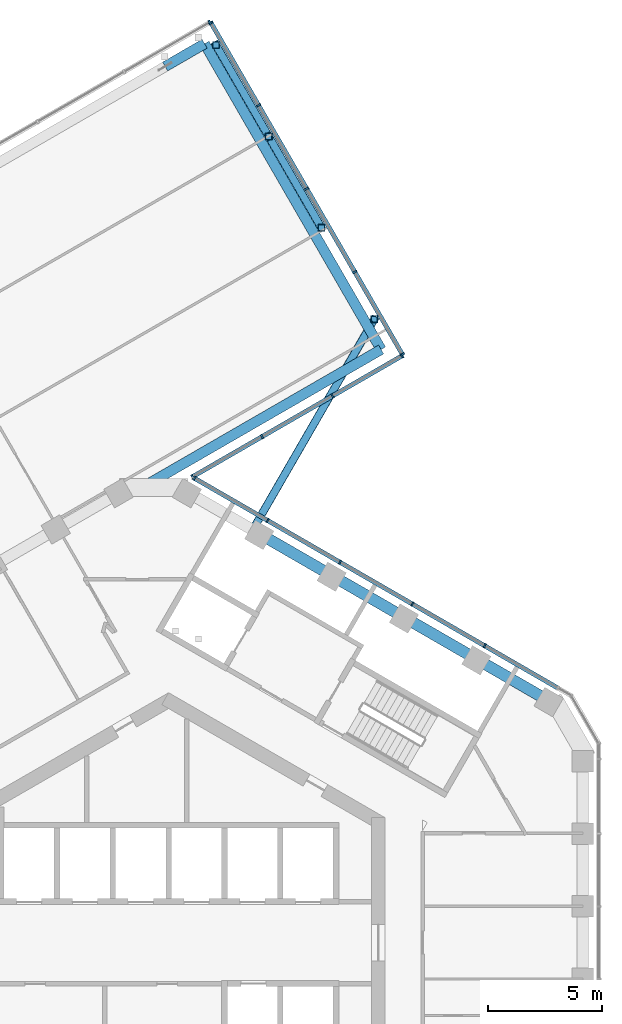
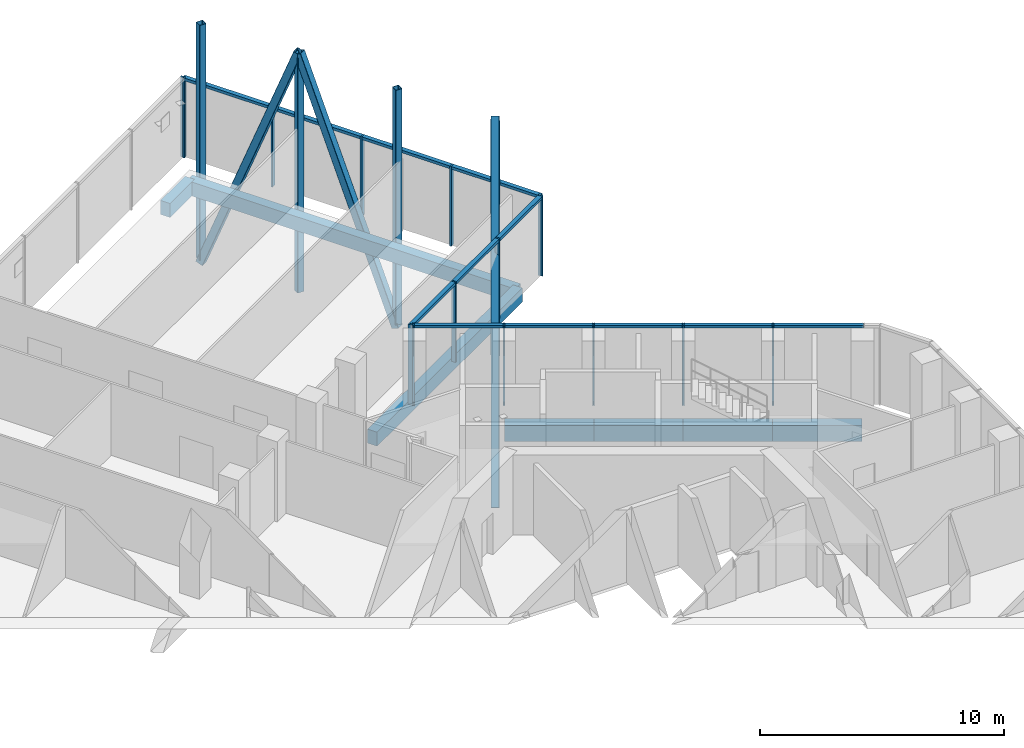
# One storey, part 7 of 21: 25 members, 7 beams, 4 elements without a shape of their own.
"""IFC4 building model written with IfcOpenShell, lengths in metres."""

from ifc_helpers import new_model, si_unit, direction, frame, origin, origin_2d, place, context, subcontext, project, spatial, rectangle, hollow_rectangle, extrude, material, layer, layer_set, material_profile, profile_set, type_object, element, aggregate, save


model = new_model("IFC4")

# Units and contexts
model_context = context("Model", 3, precision=1e-05, world=origin(), true_north=direction((0.0, 1.0)))
body_context = subcontext(model_context, "Body", "Model", "MODEL_VIEW")
ifc_project = project(units=[si_unit("LENGTHUNIT", "METRE"), si_unit("AREAUNIT", "SQUARE_METRE"), si_unit("VOLUMEUNIT", "CUBIC_METRE"), si_unit("PLANEANGLEUNIT", "RADIAN"), si_unit("MASSUNIT", "GRAM", prefix="KILO")], contexts=[model_context])

# Site, building, storey
site_placement = place(None, origin())
site = spatial("IfcSite", under=ifc_project, at=site_placement, CompositionType="ELEMENT")
building_placement = place(site_placement, origin())
building = spatial("IfcBuilding", under=site, at=building_placement, Name="Ayvan Gate Tower", CompositionType="ELEMENT")
storey_placement = place(building_placement, frame((0.0, 0.0, 190.699951171875)))
storey = spatial("IfcBuildingStorey", under=building, at=storey_placement, Name="L51", CompositionType="ELEMENT", Elevation=190.699951171875)

# Beams
ifc_material_1 = material(Name="Concrete C40/50", Category="concrete")
ifc_material_profile_1 = material_profile(ifc_material_1, rectangle(XDim=0.449951171875, YDim=0.699951171875, at=origin_2d()), Name="RC 450x700")
ifc_profile_set_1 = profile_set([ifc_material_profile_1], Name="Concrete C40/50")
beam_type_1 = type_object("IfcBeamType", Name="Sky bar edge beam RC 450x700 C40/50", PredefinedType="BEAM", material=ifc_profile_set_1)
beam_1_placement = place(storey_placement, frame((-0.152099609375, 38.463623046875, -0.75), z_axis=(0.866010750942, 0.50002537861, 0.0), x_axis=(-0.50002537861, 0.866010750942, 0.0)))
element("IfcBeam", 1, at=beam_1_placement, inside=storey, type_object=beam_type_1, Name="EB-B4-L51-7", PredefinedType="BEAM", context=body_context, shape_type="SweptSolid", body=[
    extrude(rectangle(XDim=0.449951171875, YDim=0.699951171875, at=origin_2d()), origin(), (0.0, 0.0, 1.0), 2.0),
])
beam_2_placement = place(storey_placement, frame((1.579833984375, 39.463623046875, -0.75), z_axis=(0.500001506187, -0.866024534185, 0.0), x_axis=(0.866024534185, 0.500001506187, 0.0)))
element("IfcBeam", 2, at=beam_2_placement, inside=storey, type_object=beam_type_1, Name="EB-B4-L51-8", PredefinedType="BEAM", context=body_context, shape_type="SweptSolid", body=[
    extrude(rectangle(XDim=0.449951171875, YDim=0.699951171875, at=origin_2d()), origin(), (0.0, 0.0, 1.0), 15.5),
])
beam_3_placement = place(storey_placement, frame((9.329833984375, 26.040283203125, -0.75), z_axis=(-0.866020242492, -0.500008939514, 0.0), x_axis=(0.500008939514, -0.866020242492, 0.0)))
element("IfcBeam", 3, at=beam_3_placement, inside=storey, type_object=beam_type_1, Name="EB-B4-L51-9", PredefinedType="BEAM", context=body_context, shape_type="SweptSolid", body=[
    extrude(rectangle(XDim=0.449951171875, YDim=0.699951171875, at=origin_2d()), origin(), (0.0, 0.0, 1.0), 11.901123046875),
])

# Members
ifc_material_2 = material(Name="Steel S460NH", Category="steel")
ifc_material_profile_2 = material_profile(ifc_material_2, hollow_rectangle(XDim=0.35009765625, YDim=0.35009765625, WallThickness=0.01416015625, InnerFilletRadius=0.01416015625, OuterFilletRadius=0.021240234375, at=origin_2d()), Name="RHS 350x350x14.2")
ifc_profile_set_2 = profile_set([ifc_material_profile_2], Name="Steel S460NH")
member_type_1 = type_object("IfcMemberType", Name="Sky bar truss brace B4 RHS 350x350x14.2", PredefinedType="BRACE", material=ifc_profile_set_2)
member_1_placement = place(storey_placement, frame((3.718505859375, 18.167724609375, -4.724853515625), z_axis=(0.32989630015, 0.571397737266, 0.751447308196), x_axis=(-0.866025625133, 0.499999616612, 0.0)))
element("IfcMember", 4, at=member_1_placement, inside=storey, type_object=member_type_1, Name="SBX4-B-D-1", PredefinedType="BRACE", context=body_context, shape_type="SweptSolid", body=[
    extrude(hollow_rectangle(XDim=0.35009765625, YDim=0.35009765625, WallThickness=0.01416015625, InnerFilletRadius=0.01416015625, OuterFilletRadius=0.021240234375, at=origin_2d()), origin(), (0.0, 0.0, 1.0), 16.10205078125),
])
for number, where, z_axis, x_axis, name in (
    (5, (6.7138671875, 31.381103515625, -4.724853515625), (-0.178799962756, 0.309701358189, 0.933871319859), (-0.866032910697, -0.499986997421, 0.0), "SBX4-B-D-3"),
    (6, (4.397216796875, 35.393798828125, 7.375), (-0.178801006149, 0.309684322485, -0.933876769497), (-0.866019737675, -0.500009813861, 0.0), "SBX4-B-D-4"),
):
    element("IfcMember", number, at=place(storey_placement, frame(where, z_axis=z_axis, x_axis=x_axis)), inside=storey, type_object=member_type_1, Name=name, PredefinedType="BRACE", context=body_context, shape_type="SweptSolid", body=[
        extrude(hollow_rectangle(XDim=0.35009765625, YDim=0.35009765625, WallThickness=0.01416015625, InnerFilletRadius=0.01416015625, OuterFilletRadius=0.021240234375, at=origin_2d()), origin(), (0.0, 0.0, 1.0), 12.95654296875),
    ])
ifc_material_profile_3 = material_profile(ifc_material_2, hollow_rectangle(XDim=0.300048828125, YDim=0.300048828125, WallThickness=0.01416015625, InnerFilletRadius=0.01416015625, OuterFilletRadius=0.021240234375, at=origin_2d()), Name="RHS 300x300x14.2")
ifc_profile_set_3 = profile_set([ifc_material_profile_3], Name="Steel S460NH")
member_type_2 = type_object("IfcMemberType", Name="Sky bar truss post B4 RHS 300x300x14.2", PredefinedType="POST", material=ifc_profile_set_3)
for number, where, z_axis, x_axis, name in (
    (7, (9.030517578125, 27.368408203125, -4.550048828125), (0.0, 0.0, 1.0), (1.0, 0.0, 0.0), "SBX4-B-P-1"),
    (8, (6.7138671875, 31.381103515625, -4.550048828125), (0.0, 0.0, 1.0), (1.0, 0.0, 0.0), "SBX4-B-P-2"),
    (9, (4.397216796875, 35.393798828125, -4.550048828125), (0.0, 0.0, 1.0), (1.0, 0.0, 0.0), "SBX4-B-P-3"),
    (10, (2.08056640625, 39.40625, -4.550048828125), (0.0, 0.0, 1.0), (1.0, 0.0, 0.0), "SBX4-B-P-4"),
):
    element("IfcMember", number, at=place(storey_placement, frame(where, z_axis=z_axis, x_axis=x_axis)), inside=storey, type_object=member_type_2, Name=name, PredefinedType="POST", context=body_context, shape_type="SweptSolid", body=[
        extrude(hollow_rectangle(XDim=0.300048828125, YDim=0.300048828125, WallThickness=0.01416015625, InnerFilletRadius=0.01416015625, OuterFilletRadius=0.021240234375, at=origin_2d()), origin(), (0.0, 0.0, 1.0), 11.75),
    ])

# Beams
ifc_material_profile_4 = material_profile(ifc_material_1, rectangle(XDim=0.5, YDim=0.800048828125, at=origin_2d()), Name="RC 500x800")
ifc_profile_set_4 = profile_set([ifc_material_profile_4], Name="Concrete C40/50")
beam_type_2 = type_object("IfcBeamType", Name="Spandrel beam RC 500x800 C40/50", PredefinedType="BEAM", material=ifc_profile_set_4)
beam_4_placement = place(storey_placement, frame((16.6865234375, 10.6162109375, -0.800048828125), z_axis=(-0.866024393287, 0.500001750229, 0.0), x_axis=(-0.500001750229, -0.866024393287, 0.0)))
element("IfcBeam", 11, at=beam_4_placement, inside=storey, type_object=beam_type_2, Name="SB-L51-7", PredefinedType="BEAM", context=body_context, shape_type="SweptSolid", body=[
    extrude(rectangle(XDim=0.5, YDim=0.800048828125, at=origin_2d()), origin(), (0.0, 0.0, 1.0), 3.6572265625),
])
beam_5_placement = place(storey_placement, frame((13.519287109375, 12.44482421875, -0.800048828125), z_axis=(-0.866007702746, 0.500030657845, 0.0), x_axis=(-0.500030657845, -0.866007702746, 0.0)))
element("IfcBeam", 12, at=beam_5_placement, inside=storey, type_object=beam_type_2, Name="SB-L51-8", PredefinedType="BEAM", context=body_context, shape_type="SweptSolid", body=[
    extrude(rectangle(XDim=0.5, YDim=0.800048828125, at=origin_2d()), origin(), (0.0, 0.0, 1.0), 3.656982421875),
])
beam_6_placement = place(storey_placement, frame((10.352294921875, 14.2734375, -0.800048828125), z_axis=(-0.866024393287, 0.500001750229, 0.0), x_axis=(-0.500001750229, -0.866024393287, 0.0)))
element("IfcBeam", 13, at=beam_6_placement, inside=storey, type_object=beam_type_2, Name="SB-L51-9", PredefinedType="BEAM", context=body_context, shape_type="SweptSolid", body=[
    extrude(rectangle(XDim=0.5, YDim=0.800048828125, at=origin_2d()), origin(), (0.0, 0.0, 1.0), 3.6572265625),
])
beam_7_placement = place(storey_placement, frame((7.18505859375, 16.10205078125, -0.800048828125), z_axis=(-0.866053299028, 0.499951680908, 0.0), x_axis=(-0.499951680908, -0.866053299028, 0.0)))
element("IfcBeam", 14, at=beam_7_placement, inside=storey, type_object=beam_type_2, Name="SB-L51-10", PredefinedType="BEAM", context=body_context, shape_type="SweptSolid", body=[
    extrude(rectangle(XDim=0.5, YDim=0.800048828125, at=origin_2d()), origin(), (0.0, 0.0, 1.0), 3.656982421875),
])

# Curtain wall, members
ifc_material_3 = material(Name="Bronze anodised aluminium", Category="aluminium")
ifc_layer_1 = layer(ifc_material_3, 0.199951171875)
ifc_layer_set_1 = layer_set([ifc_layer_1], Name="Bronze anodised aluminium")
curtain_wall_type_1 = type_object("IfcCurtainWallType", Name="Stick curtain wall CW-2", PredefinedType="NOTDEFINED", material=ifc_layer_set_1)
curtain_wall_1_placement = place(storey_placement, origin())
curtain_wall_1 = element("IfcCurtainWall", 15, at=curtain_wall_1_placement, inside=storey, type_object=curtain_wall_type_1, Name="Stick curtain wall CW-2 L51", PredefinedType="NOTDEFINED")
ifc_material_profile_5 = material_profile(ifc_material_3, rectangle(XDim=0.199951171875, YDim=0.070068359375, at=origin_2d()), Name="Stick curtain wall CW-2 mullion 200 x 70")
ifc_profile_set_5 = profile_set([ifc_material_profile_5], Name="Bronze anodised aluminium")
member_type_3 = type_object("IfcMemberType", Name="Stick curtain wall CW-2 mullion 200 x 70", PredefinedType="MULLION", material=ifc_profile_set_5)
member_2_placement = place(storey_placement, frame((13.87744140625, 13.0302734375, 0.0), z_axis=(0.0, 0.0, 1.0), x_axis=(0.5, 0.866025403784, 0.0)))
member_2 = element("IfcMember", 16, at=member_2_placement, type_object=member_type_3, Name="CW-2 mullion 2", PredefinedType="MULLION", context=body_context, shape_type="SweptSolid", body=[
    extrude(rectangle(XDim=0.199951171875, YDim=0.070068359375, at=origin_2d()), origin(), (0.0, 0.0, 1.0), 4.0),
])
member_3_placement = place(storey_placement, frame((10.699951171875, 14.86474609375, 0.0), z_axis=(0.0, 0.0, 1.0), x_axis=(0.5, 0.866025403784, 0.0)))
member_3 = element("IfcMember", 17, at=member_3_placement, type_object=member_type_3, Name="CW-2 mullion 3", PredefinedType="MULLION", context=body_context, shape_type="SweptSolid", body=[
    extrude(rectangle(XDim=0.199951171875, YDim=0.070068359375, at=origin_2d()), origin(), (0.0, 0.0, 1.0), 4.0),
])
member_4_placement = place(storey_placement, frame((7.5234375, 16.69873046875, 0.0), z_axis=(0.0, 0.0, 1.0), x_axis=(0.5, 0.866025403784, 0.0)))
member_4 = element("IfcMember", 18, at=member_4_placement, type_object=member_type_3, Name="CW-2 mullion 4", PredefinedType="MULLION", context=body_context, shape_type="SweptSolid", body=[
    extrude(rectangle(XDim=0.199951171875, YDim=0.070068359375, at=origin_2d()), origin(), (0.0, 0.0, 1.0), 4.0),
])
member_5_placement = place(storey_placement, frame((4.345947265625, 18.533203125, 0.0), z_axis=(0.0, 0.0, 1.0), x_axis=(0.5, 0.866025403784, 0.0)))
member_5 = element("IfcMember", 19, at=member_5_placement, type_object=member_type_3, Name="CW-2 mullion 5", PredefinedType="MULLION", context=body_context, shape_type="SweptSolid", body=[
    extrude(rectangle(XDim=0.199951171875, YDim=0.070068359375, at=origin_2d()), origin(), (0.0, 0.0, 1.0), 4.0),
])
member_6_placement = place(storey_placement, frame((1.13720703125, 20.3857421875, 0.0), z_axis=(0.0, 0.0, 1.0), x_axis=(0.5, 0.866025403784, 0.0)))
member_6 = element("IfcMember", 20, at=member_6_placement, type_object=member_type_3, Name="CW-2 mullion 6", PredefinedType="MULLION", context=body_context, shape_type="SweptSolid", body=[
    extrude(rectangle(XDim=0.199951171875, YDim=0.070068359375, at=origin_2d()), origin(), (0.0, 0.0, 1.0), 4.0),
])
ifc_material_profile_6 = material_profile(ifc_material_3, rectangle(XDim=0.199951171875, YDim=0.1201171875, at=origin_2d()), Name="Stick curtain wall CW-2 transom 200 x 120")
ifc_profile_set_6 = profile_set([ifc_material_profile_6], Name="Bronze anodised aluminium")
member_type_4 = type_object("IfcMemberType", Name="Stick curtain wall CW-2 transom 200 x 120", PredefinedType="USERDEFINED", material=ifc_profile_set_6)
member_7_placement = place(storey_placement, frame((17.0859375, 11.177734375, 3.93994140625), z_axis=(-0.86602531013, 0.500000162215, 0.0), x_axis=(-0.500000162215, -0.86602531013, 0.0)))
member_7 = element("IfcMember", 21, at=member_7_placement, type_object=member_type_4, Name="CW-2 transom 1", ObjectType="TRANSOM", PredefinedType="USERDEFINED", context=body_context, shape_type="SweptSolid", body=[
    extrude(rectangle(XDim=0.199951171875, YDim=0.1201171875, at=origin_2d()), origin(), (0.0, 0.0, 1.0), 18.416015625),
])
aggregate(curtain_wall_1, [member_2, member_3, member_4, member_5, member_6, member_7])

ifc_layer_2 = layer(ifc_material_3, 0.199951171875)
ifc_layer_set_2 = layer_set([ifc_layer_2], Name="Bronze anodised aluminium")
curtain_wall_type_2 = type_object("IfcCurtainWallType", Name="Stick curtain wall CW-4", PredefinedType="NOTDEFINED", material=ifc_layer_set_2)
curtain_wall_2_placement = place(storey_placement, origin())
curtain_wall_2 = element("IfcCurtainWall", 22, at=curtain_wall_2_placement, inside=storey, type_object=curtain_wall_type_2, Name="Stick curtain wall CW-4 L51", PredefinedType="NOTDEFINED")
ifc_material_profile_7 = material_profile(ifc_material_3, rectangle(XDim=0.199951171875, YDim=0.080078125, at=origin_2d()), Name="Stick curtain wall CW-4 mullion 200 x 80")
ifc_profile_set_7 = profile_set([ifc_material_profile_7], Name="Bronze anodised aluminium")
member_type_5 = type_object("IfcMemberType", Name="Stick curtain wall CW-4 mullion 200 x 80", PredefinedType="MULLION", material=ifc_profile_set_7)
member_8_placement = place(storey_placement, frame((1.045654296875, 20.448974609375, 0.0), z_axis=(0.0, 0.0, 1.0), x_axis=(0.5, -0.866025403784, 0.0)))
member_8 = element("IfcMember", 23, at=member_8_placement, type_object=member_type_5, Name="CW-4 mullion 1", PredefinedType="MULLION", context=body_context, shape_type="SweptSolid", body=[
    extrude(rectangle(XDim=0.199951171875, YDim=0.080078125, at=origin_2d()), origin(), (0.0, 0.0, 1.0), 4.0),
])
member_9_placement = place(storey_placement, frame((4.102783203125, 22.214111328125, 0.0), z_axis=(0.0, 0.0, 1.0), x_axis=(0.5, -0.866025403784, 0.0)))
member_9 = element("IfcMember", 24, at=member_9_placement, type_object=member_type_5, Name="CW-4 mullion 2", PredefinedType="MULLION", context=body_context, shape_type="SweptSolid", body=[
    extrude(rectangle(XDim=0.199951171875, YDim=0.080078125, at=origin_2d()), origin(), (0.0, 0.0, 1.0), 4.0),
])
member_10_placement = place(storey_placement, frame((7.1943359375, 23.9990234375, 0.0), z_axis=(0.0, 0.0, 1.0), x_axis=(0.5, -0.866025403784, 0.0)))
member_10 = element("IfcMember", 25, at=member_10_placement, type_object=member_type_5, Name="CW-4 mullion 3", PredefinedType="MULLION", context=body_context, shape_type="SweptSolid", body=[
    extrude(rectangle(XDim=0.199951171875, YDim=0.080078125, at=origin_2d()), origin(), (0.0, 0.0, 1.0), 4.0),
])
member_11_placement = place(storey_placement, frame((10.25146484375, 25.763916015625, 0.0), z_axis=(0.0, 0.0, 1.0), x_axis=(0.5, -0.866025403784, 0.0)))
member_11 = element("IfcMember", 26, at=member_11_placement, type_object=member_type_5, Name="CW-4 mullion 4", PredefinedType="MULLION", context=body_context, shape_type="SweptSolid", body=[
    extrude(rectangle(XDim=0.199951171875, YDim=0.080078125, at=origin_2d()), origin(), (0.0, 0.0, 1.0), 4.0),
])

curtain_wall_3_placement = place(storey_placement, origin())
curtain_wall_3 = element("IfcCurtainWall", 27, at=curtain_wall_3_placement, inside=storey, type_object=curtain_wall_type_2, Name="Stick curtain wall CW-4 L51", PredefinedType="NOTDEFINED")
member_12_placement = place(storey_placement, frame((10.26611328125, 25.818603515625, 0.0), z_axis=(0.0, 0.0, 1.0), x_axis=(0.866025403784, 0.5, 0.0)))
member_12 = element("IfcMember", 28, at=member_12_placement, type_object=member_type_5, Name="CW-4 mullion 1", PredefinedType="MULLION", context=body_context, shape_type="SweptSolid", body=[
    extrude(rectangle(XDim=0.199951171875, YDim=0.080078125, at=origin_2d()), origin(), (0.0, 0.0, 1.0), 4.0),
])
member_13_placement = place(storey_placement, frame((8.173583984375, 29.44287109375, 0.0), z_axis=(0.0, 0.0, 1.0), x_axis=(0.866025403784, 0.5, 0.0)))
member_13 = element("IfcMember", 29, at=member_13_placement, type_object=member_type_5, Name="CW-4 mullion 2", PredefinedType="MULLION", context=body_context, shape_type="SweptSolid", body=[
    extrude(rectangle(XDim=0.199951171875, YDim=0.080078125, at=origin_2d()), origin(), (0.0, 0.0, 1.0), 4.0),
])
member_14_placement = place(storey_placement, frame((6.06103515625, 33.101806640625, 0.0), z_axis=(0.0, 0.0, 1.0), x_axis=(0.866025403784, 0.5, 0.0)))
member_14 = element("IfcMember", 30, at=member_14_placement, type_object=member_type_5, Name="CW-4 mullion 3", PredefinedType="MULLION", context=body_context, shape_type="SweptSolid", body=[
    extrude(rectangle(XDim=0.199951171875, YDim=0.080078125, at=origin_2d()), origin(), (0.0, 0.0, 1.0), 4.0),
])
member_15_placement = place(storey_placement, frame((3.948486328125, 36.7607421875, 0.0), z_axis=(0.0, 0.0, 1.0), x_axis=(0.866025403784, 0.5, 0.0)))
member_15 = element("IfcMember", 31, at=member_15_placement, type_object=member_type_5, Name="CW-4 mullion 4", PredefinedType="MULLION", context=body_context, shape_type="SweptSolid", body=[
    extrude(rectangle(XDim=0.199951171875, YDim=0.080078125, at=origin_2d()), origin(), (0.0, 0.0, 1.0), 4.0),
])
member_16_placement = place(storey_placement, frame((1.856201171875, 40.38525390625, 0.0), z_axis=(0.0, 0.0, 1.0), x_axis=(0.866025403784, 0.5, 0.0)))
member_16 = element("IfcMember", 32, at=member_16_placement, type_object=member_type_5, Name="CW-4 mullion 5", PredefinedType="MULLION", context=body_context, shape_type="SweptSolid", body=[
    extrude(rectangle(XDim=0.199951171875, YDim=0.080078125, at=origin_2d()), origin(), (0.0, 0.0, 1.0), 4.0),
])

# Curtain wall, member
curtain_wall_4_placement = place(storey_placement, origin())
curtain_wall_4 = element("IfcCurtainWall", 33, at=curtain_wall_4_placement, inside=storey, type_object=curtain_wall_type_2, Name="Stick curtain wall CW-4 L51", PredefinedType="NOTDEFINED")
member_17_placement = place(storey_placement, frame((1.801513671875, 40.39990234375, 0.0), z_axis=(0.0, 0.0, 1.0), x_axis=(-0.5, 0.866025403784, 0.0)))
member_17 = element("IfcMember", 34, at=member_17_placement, type_object=member_type_5, Name="CW-4 mullion 1", PredefinedType="MULLION", context=body_context, shape_type="SweptSolid", body=[
    extrude(rectangle(XDim=0.199951171875, YDim=0.080078125, at=origin_2d()), origin(), (0.0, 0.0, 1.0), 4.0),
])
aggregate(curtain_wall_4, [member_17])

# Member
ifc_material_profile_8 = material_profile(ifc_material_3, rectangle(XDim=0.199951171875, YDim=0.139892578125, at=origin_2d()), Name="Stick curtain wall CW-4 transom 200 x 140")
ifc_profile_set_8 = profile_set([ifc_material_profile_8], Name="Bronze anodised aluminium")
member_type_6 = type_object("IfcMemberType", Name="Stick curtain wall CW-4 transom 200 x 140", PredefinedType="USERDEFINED", material=ifc_profile_set_8)
member_18_placement = place(storey_placement, frame((1.045654296875, 20.448974609375, 3.929931640625), z_axis=(0.866026861739, 0.499997474741, 0.0), x_axis=(-0.499997474741, 0.866026861739, 0.0)))
member_18 = element("IfcMember", 35, at=member_18_placement, type_object=member_type_6, Name="CW-4 transom 1", ObjectType="TRANSOM", PredefinedType="USERDEFINED", context=body_context, shape_type="SweptSolid", body=[
    extrude(rectangle(XDim=0.199951171875, YDim=0.139892578125, at=origin_2d()), origin(), (0.0, 0.0, 1.0), 10.6298828125),
])

aggregate(curtain_wall_2, [member_8, member_9, member_10, member_11, member_18])

member_19_placement = place(storey_placement, frame((10.26611328125, 25.818603515625, 3.929931640625), z_axis=(-0.499993426809, 0.866029198785, 0.0), x_axis=(-0.866029198785, -0.499993426809, 0.0)))
member_19 = element("IfcMember", 36, at=member_19_placement, type_object=member_type_6, Name="CW-4 transom 1", ObjectType="TRANSOM", PredefinedType="USERDEFINED", context=body_context, shape_type="SweptSolid", body=[
    extrude(rectangle(XDim=0.199951171875, YDim=0.139892578125, at=origin_2d()), origin(), (0.0, 0.0, 1.0), 16.820068359375),
])

aggregate(curtain_wall_3, [member_12, member_13, member_14, member_15, member_16, member_19])

save(model, "model.ifc")
